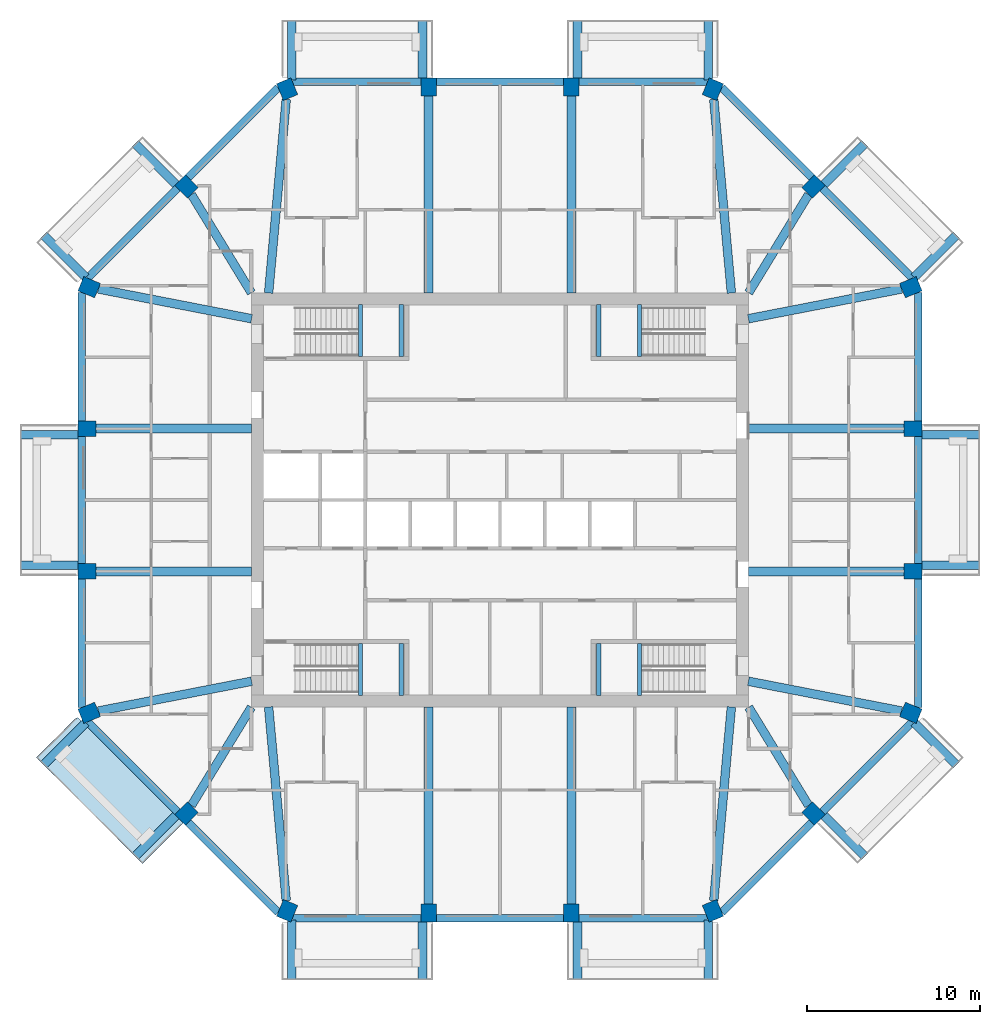
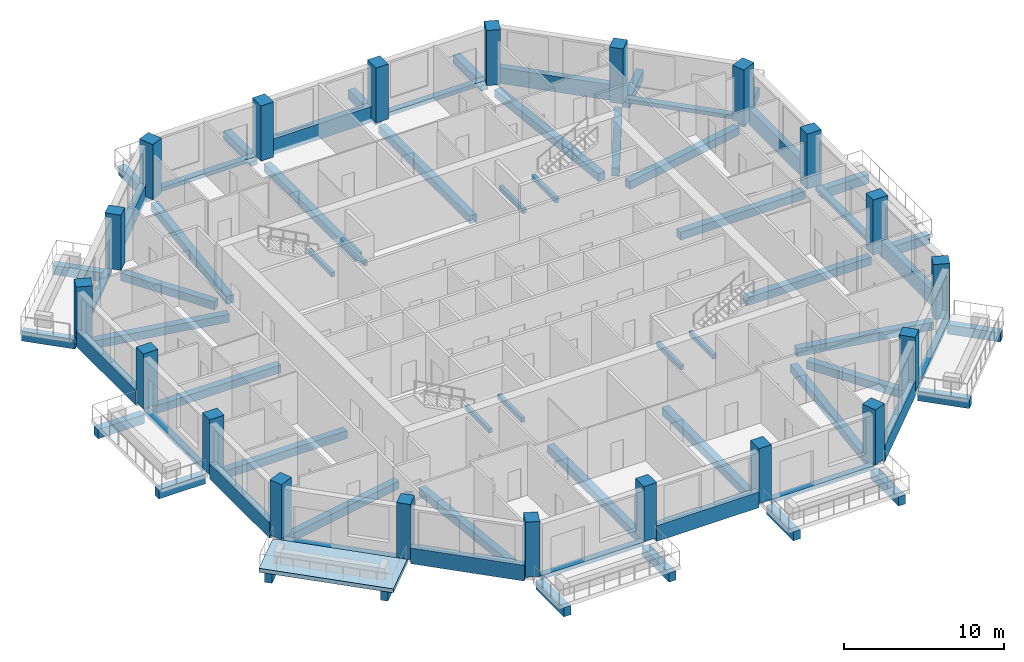
# One storey, part 1 of 12: 68 beams, 20 columns, 1 slab.
"""IFC4 building model written with IfcOpenShell, lengths in metres."""

from ifc_helpers import new_model, si_unit, direction, frame, origin, origin_2d, place, context, subcontext, project, spatial, polyline, rectangle, outline, extrude, material, layer, layer_set, material_profile, profile_set, type_object, element, save


model = new_model("IFC4")

# Units and contexts
model_context = context("Model", 3, precision=1e-05, world=origin(), true_north=direction((0.0, 1.0)))
body_context = subcontext(model_context, "Body", "Model", "MODEL_VIEW")
ifc_project = project(units=[si_unit("LENGTHUNIT", "METRE"), si_unit("AREAUNIT", "SQUARE_METRE"), si_unit("VOLUMEUNIT", "CUBIC_METRE"), si_unit("PLANEANGLEUNIT", "RADIAN"), si_unit("MASSUNIT", "GRAM", prefix="KILO")], contexts=[model_context])

# Site, building, storey
site_placement = place(None, origin())
site = spatial("IfcSite", under=ifc_project, at=site_placement, CompositionType="ELEMENT")
building_placement = place(site_placement, origin())
building = spatial("IfcBuilding", under=site, at=building_placement, Name="Msitu Wima Residences", CompositionType="ELEMENT")
storey_placement = place(building_placement, frame((0.0, 0.0, 183.300048828125)))
storey = spatial("IfcBuildingStorey", under=building, at=storey_placement, Name="L42", CompositionType="ELEMENT", Elevation=183.300048828125)

# Columns
ifc_material_1 = material(Name="Concrete C60/75", Category="concrete")
ifc_material_profile_1 = material_profile(ifc_material_1, rectangle(XDim=0.89990234375, YDim=1.050048828125, at=origin_2d()), Name="RC 900x1050")
ifc_profile_set_1 = profile_set([ifc_material_profile_1], Name="Concrete C60/75")
column_type = type_object("IfcColumnType", Name="Column RC 900x1050 Concrete C60/75", PredefinedType="COLUMN", material=ifc_profile_set_1)
for number, where, z_axis, x_axis, name in (
    (1, (23.792724609375, -12.325927734375, 0.0), (0.0, 0.0, 1.0), (0.382683496864, 0.923879505795, 0.0), "Column L42 C-E0"),
    (2, (23.925048828125, -4.13720703125, 0.0), (0.0, 0.0, 1.0), (0.0, 1.0, 0.0), "Column L42 C-E1"),
    (3, (23.925048828125, 4.13720703125, 0.0), (0.0, 0.0, 1.0), (0.0, 1.0, 0.0), "Column L42 C-E2"),
    (4, (23.792724609375, 12.325927734375, 0.0), (0.0, 0.0, 1.0), (-0.382683496864, 0.923879505795, 0.0), "Column L42 C-NE0"),
    (5, (18.15283203125, 18.15283203125, 0.0), (0.0, 0.0, 1.0), (-0.707106781187, 0.707106781187, 0.0), "Column L42 C-NE1"),
    (6, (12.325927734375, 23.792724609375, 0.0), (0.0, 0.0, 1.0), (-0.923879505795, 0.382683496864, 0.0), "Column L42 C-N0"),
    (7, (4.13720703125, 23.925048828125, 0.0), (0.0, 0.0, 1.0), (-1.0, 0.0, 0.0), "Column L42 C-N1"),
    (8, (-4.13720703125, 23.925048828125, 0.0), (0.0, 0.0, 1.0), (-1.0, 0.0, 0.0), "Column L42 C-N2"),
    (9, (-12.325927734375, 23.792724609375, 0.0), (0.0, 0.0, 1.0), (-0.923879505795, -0.382683496864, 0.0), "Column L42 C-NW0"),
    (10, (-18.15283203125, 18.15283203125, 0.0), (0.0, 0.0, 1.0), (-0.707106781187, -0.707106781187, 0.0), "Column L42 C-NW1"),
    (11, (-23.792724609375, 12.325927734375, 0.0), (0.0, 0.0, 1.0), (-0.382683496864, -0.923879505795, 0.0), "Column L42 C-W0"),
    (12, (-23.925048828125, 4.13720703125, 0.0), (0.0, 0.0, 1.0), (0.0, -1.0, 0.0), "Column L42 C-W1"),
    (13, (-23.925048828125, -4.13720703125, 0.0), (0.0, 0.0, 1.0), (0.0, -1.0, 0.0), "Column L42 C-W2"),
    (14, (-23.792724609375, -12.325927734375, 0.0), (0.0, 0.0, 1.0), (0.382683496864, -0.923879505795, 0.0), "Column L42 C-SW0"),
    (15, (-18.15283203125, -18.15283203125, 0.0), (0.0, 0.0, 1.0), (0.707106781187, -0.707106781187, 0.0), "Column L42 C-SW1"),
    (16, (-12.325927734375, -23.792724609375, 0.0), (0.0, 0.0, 1.0), (0.923879505795, -0.382683496864, 0.0), "Column L42 C-S0"),
    (17, (-4.13720703125, -23.925048828125, 0.0), (0.0, 0.0, 1.0), (1.0, 0.0, 0.0), "Column L42 C-S1"),
    (18, (4.13720703125, -23.925048828125, 0.0), (0.0, 0.0, 1.0), (1.0, 0.0, 0.0), "Column L42 C-S2"),
    (19, (12.325927734375, -23.792724609375, 0.0), (0.0, 0.0, 1.0), (0.923879505795, 0.382683496864, 0.0), "Column L42 C-SE0"),
    (20, (18.15283203125, -18.15283203125, 0.0), (0.0, 0.0, 1.0), (0.707106781187, 0.707106781187, 0.0), "Column L42 C-SE1"),
):
    element("IfcColumn", number, at=place(storey_placement, frame(where, z_axis=z_axis, x_axis=x_axis)), inside=storey, type_object=column_type, Name=name, PredefinedType="COLUMN", context=body_context, shape_type="SweptSolid", body=[
        extrude(rectangle(XDim=0.89990234375, YDim=1.050048828125, at=origin_2d()), origin(), (0.0, 0.0, 1.0), 4.199951171875),
    ])

# Beams
ifc_material_2 = material(Name="Concrete C50/60", Category="concrete")
ifc_material_profile_2 = material_profile(ifc_material_2, rectangle(XDim=0.5, YDim=0.60009765625, at=origin_2d()), Name="RC 500x600")
ifc_profile_set_2 = profile_set([ifc_material_profile_2], Name="Concrete C50/60")
beam_type_1 = type_object("IfcBeamType", Name="Beam RC 500x600 Concrete C50/60", PredefinedType="BEAM", material=ifc_profile_set_2)
beam_1_placement = place(storey_placement, frame((23.266845703125, -12.2236328125, -0.550048828125), z_axis=(-0.981627328559, 0.190808248841, 0.0), x_axis=(-0.190808248841, -0.981627328559, 0.0)))
element("IfcBeam", 21, at=beam_1_placement, inside=storey, type_object=beam_type_1, Name="Beam L42 C-E0", PredefinedType="BEAM", context=body_context, shape_type="SweptSolid", body=[
    extrude(rectangle(XDim=0.5, YDim=0.60009765625, at=origin_2d()), origin(), (0.0, 0.0, 1.0), 9.044921875),
])
for number, where, z_axis, x_axis, name in (
    (22, (23.39990234375, -4.13720703125, -0.550048828125), (-1.0, 0.0, 0.0), (0.0, -1.0, 0.0), "Beam L42 C-E1"),
    (23, (23.39990234375, 4.13720703125, -0.550048828125), (-1.0, 0.0, 0.0), (0.0, -1.0, 0.0), "Beam L42 C-E2"),
):
    element("IfcBeam", number, at=place(storey_placement, frame(where, z_axis=z_axis, x_axis=x_axis)), inside=storey, type_object=beam_type_1, Name=name, PredefinedType="BEAM", context=body_context, shape_type="SweptSolid", body=[
        extrude(rectangle(XDim=0.5, YDim=0.60009765625, at=origin_2d()), origin(), (0.0, 0.0, 1.0), 9.0),
    ])
beam_2_placement = place(storey_placement, frame((23.266845703125, 12.2236328125, -0.550048828125), z_axis=(-0.981627328559, -0.190808248841, 0.0), x_axis=(0.190808248841, -0.981627328559, 0.0)))
element("IfcBeam", 24, at=beam_2_placement, inside=storey, type_object=beam_type_1, Name="Beam L42 C-NE0", PredefinedType="BEAM", context=body_context, shape_type="SweptSolid", body=[
    extrude(rectangle(XDim=0.5, YDim=0.60009765625, at=origin_2d()), origin(), (0.0, 0.0, 1.0), 9.044921875),
])
beam_3_placement = place(storey_placement, frame((17.87158203125, 17.691650390625, -0.550048828125), z_axis=(-0.520734381113, -0.853718750132, 0.0), x_axis=(0.853718750132, -0.520734381113, 0.0)))
element("IfcBeam", 25, at=beam_3_placement, inside=storey, type_object=beam_type_1, Name="Beam L42 C-NE1", PredefinedType="BEAM", context=body_context, shape_type="SweptSolid", body=[
    extrude(rectangle(XDim=0.5, YDim=0.60009765625, at=origin_2d()), origin(), (0.0, 0.0, 1.0), 6.6669921875),
])
beam_4_placement = place(storey_placement, frame((12.379638671875, 23.2021484375, -0.550048828125), z_axis=(0.090713636077, -0.995877018627, 0.0), x_axis=(0.995877018627, 0.090713636077, 0.0)))
element("IfcBeam", 26, at=beam_4_placement, inside=storey, type_object=beam_type_1, Name="Beam L42 C-N0", PredefinedType="BEAM", context=body_context, shape_type="SweptSolid", body=[
    extrude(rectangle(XDim=0.5, YDim=0.60009765625, at=origin_2d()), origin(), (0.0, 0.0, 1.0), 11.260498046875),
])
for number, where, z_axis, x_axis, name in (
    (27, (4.13720703125, 23.39990234375, -0.550048828125), (0.0, -1.0, 0.0), (1.0, 0.0, 0.0), "Beam L42 C-N1"),
    (28, (-4.13720703125, 23.39990234375, -0.550048828125), (0.0, -1.0, 0.0), (1.0, 0.0, 0.0), "Beam L42 C-N2"),
):
    element("IfcBeam", number, at=place(storey_placement, frame(where, z_axis=z_axis, x_axis=x_axis)), inside=storey, type_object=beam_type_1, Name=name, PredefinedType="BEAM", context=body_context, shape_type="SweptSolid", body=[
        extrude(rectangle(XDim=0.5, YDim=0.60009765625, at=origin_2d()), origin(), (0.0, 0.0, 1.0), 11.39990234375),
    ])
beam_5_placement = place(storey_placement, frame((-12.379638671875, 23.2021484375, -0.550048828125), z_axis=(-0.090713636077, -0.995877018627, 0.0), x_axis=(0.995877018627, -0.090713636077, 0.0)))
element("IfcBeam", 29, at=beam_5_placement, inside=storey, type_object=beam_type_1, Name="Beam L42 C-NW0", PredefinedType="BEAM", context=body_context, shape_type="SweptSolid", body=[
    extrude(rectangle(XDim=0.5, YDim=0.60009765625, at=origin_2d()), origin(), (0.0, 0.0, 1.0), 11.260498046875),
])
beam_6_placement = place(storey_placement, frame((-17.87158203125, 17.691650390625, -0.550048828125), z_axis=(0.520734381113, -0.853718750132, 0.0), x_axis=(0.853718750132, 0.520734381113, 0.0)))
element("IfcBeam", 30, at=beam_6_placement, inside=storey, type_object=beam_type_1, Name="Beam L42 C-NW1", PredefinedType="BEAM", context=body_context, shape_type="SweptSolid", body=[
    extrude(rectangle(XDim=0.5, YDim=0.60009765625, at=origin_2d()), origin(), (0.0, 0.0, 1.0), 6.6669921875),
])
beam_7_placement = place(storey_placement, frame((-23.266845703125, 12.2236328125, -0.550048828125), z_axis=(0.981627328559, -0.190808248841, 0.0), x_axis=(0.190808248841, 0.981627328559, 0.0)))
element("IfcBeam", 31, at=beam_7_placement, inside=storey, type_object=beam_type_1, Name="Beam L42 C-W0", PredefinedType="BEAM", context=body_context, shape_type="SweptSolid", body=[
    extrude(rectangle(XDim=0.5, YDim=0.60009765625, at=origin_2d()), origin(), (0.0, 0.0, 1.0), 9.044921875),
])
for number, where, z_axis, x_axis, name in (
    (32, (-23.39990234375, 4.13720703125, -0.550048828125), (1.0, 0.0, 0.0), (0.0, 1.0, 0.0), "Beam L42 C-W1"),
    (33, (-23.39990234375, -4.13720703125, -0.550048828125), (1.0, 0.0, 0.0), (0.0, 1.0, 0.0), "Beam L42 C-W2"),
):
    element("IfcBeam", number, at=place(storey_placement, frame(where, z_axis=z_axis, x_axis=x_axis)), inside=storey, type_object=beam_type_1, Name=name, PredefinedType="BEAM", context=body_context, shape_type="SweptSolid", body=[
        extrude(rectangle(XDim=0.5, YDim=0.60009765625, at=origin_2d()), origin(), (0.0, 0.0, 1.0), 9.0),
    ])
beam_8_placement = place(storey_placement, frame((-23.266845703125, -12.2236328125, -0.550048828125), z_axis=(0.981627328559, 0.190808248841, 0.0), x_axis=(-0.190808248841, 0.981627328559, 0.0)))
element("IfcBeam", 34, at=beam_8_placement, inside=storey, type_object=beam_type_1, Name="Beam L42 C-SW0", PredefinedType="BEAM", context=body_context, shape_type="SweptSolid", body=[
    extrude(rectangle(XDim=0.5, YDim=0.60009765625, at=origin_2d()), origin(), (0.0, 0.0, 1.0), 9.044921875),
])
beam_9_placement = place(storey_placement, frame((-17.87158203125, -17.691650390625, -0.550048828125), z_axis=(0.520734381113, 0.853718750132, 0.0), x_axis=(-0.853718750132, 0.520734381113, 0.0)))
element("IfcBeam", 35, at=beam_9_placement, inside=storey, type_object=beam_type_1, Name="Beam L42 C-SW1", PredefinedType="BEAM", context=body_context, shape_type="SweptSolid", body=[
    extrude(rectangle(XDim=0.5, YDim=0.60009765625, at=origin_2d()), origin(), (0.0, 0.0, 1.0), 6.6669921875),
])
beam_10_placement = place(storey_placement, frame((-12.379638671875, -23.2021484375, -0.550048828125), z_axis=(-0.090713636077, 0.995877018627, 0.0), x_axis=(-0.995877018627, -0.090713636077, 0.0)))
element("IfcBeam", 36, at=beam_10_placement, inside=storey, type_object=beam_type_1, Name="Beam L42 C-S0", PredefinedType="BEAM", context=body_context, shape_type="SweptSolid", body=[
    extrude(rectangle(XDim=0.5, YDim=0.60009765625, at=origin_2d()), origin(), (0.0, 0.0, 1.0), 11.260498046875),
])
for number, where, z_axis, x_axis, name in (
    (37, (-4.13720703125, -23.39990234375, -0.550048828125), (0.0, 1.0, 0.0), (-1.0, 0.0, 0.0), "Beam L42 C-S1"),
    (38, (4.13720703125, -23.39990234375, -0.550048828125), (0.0, 1.0, 0.0), (-1.0, 0.0, 0.0), "Beam L42 C-S2"),
):
    element("IfcBeam", number, at=place(storey_placement, frame(where, z_axis=z_axis, x_axis=x_axis)), inside=storey, type_object=beam_type_1, Name=name, PredefinedType="BEAM", context=body_context, shape_type="SweptSolid", body=[
        extrude(rectangle(XDim=0.5, YDim=0.60009765625, at=origin_2d()), origin(), (0.0, 0.0, 1.0), 11.39990234375),
    ])
beam_11_placement = place(storey_placement, frame((12.379638671875, -23.2021484375, -0.550048828125), z_axis=(0.090713636077, 0.995877018627, 0.0), x_axis=(-0.995877018627, 0.090713636077, 0.0)))
element("IfcBeam", 39, at=beam_11_placement, inside=storey, type_object=beam_type_1, Name="Beam L42 C-SE0", PredefinedType="BEAM", context=body_context, shape_type="SweptSolid", body=[
    extrude(rectangle(XDim=0.5, YDim=0.60009765625, at=origin_2d()), origin(), (0.0, 0.0, 1.0), 11.260498046875),
])
beam_12_placement = place(storey_placement, frame((17.87158203125, -17.691650390625, -0.550048828125), z_axis=(-0.520734381113, 0.853718750132, 0.0), x_axis=(-0.853718750132, -0.520734381113, 0.0)))
element("IfcBeam", 40, at=beam_12_placement, inside=storey, type_object=beam_type_1, Name="Beam L42 C-SE1", PredefinedType="BEAM", context=body_context, shape_type="SweptSolid", body=[
    extrude(rectangle(XDim=0.5, YDim=0.60009765625, at=origin_2d()), origin(), (0.0, 0.0, 1.0), 6.6669921875),
])
ifc_material_profile_3 = material_profile(ifc_material_2, rectangle(XDim=0.5, YDim=0.699951171875, at=origin_2d()), Name="RC 500x700")
ifc_profile_set_3 = profile_set([ifc_material_profile_3], Name="Concrete C50/60")
beam_type_2 = type_object("IfcBeamType", Name="Cantilever beam RC 500x700 Concrete C50/60", PredefinedType="BEAM", material=ifc_profile_set_3)
for number, where, z_axis, x_axis, name in (
    (41, (24.449951171875, -3.787353515625, -0.650146484375), (1.0, 0.0, 0.0), (0.0, 1.0, 0.0), "Cantilever beam L42 BA-E1 A"),
    (42, (24.449951171875, 3.787353515625, -0.650146484375), (1.0, 0.0, 0.0), (0.0, 1.0, 0.0), "Cantilever beam L42 BA-E1 B"),
):
    element("IfcBeam", number, at=place(storey_placement, frame(where, z_axis=z_axis, x_axis=x_axis)), inside=storey, type_object=beam_type_2, Name=name, PredefinedType="BEAM", context=body_context, shape_type="SweptSolid", body=[
        extrude(rectangle(XDim=0.5, YDim=0.699951171875, at=origin_2d()), origin(), (0.0, 0.0, 1.0), 3.35009765625),
    ])
beam_13_placement = place(storey_placement, frame((23.986572265625, 12.893310546875, -0.650146484375), z_axis=(0.707106781187, 0.707106781187, 0.0), x_axis=(-0.707106781187, 0.707106781187, 0.0)))
element("IfcBeam", 43, at=beam_13_placement, inside=storey, type_object=beam_type_2, Name="Cantilever beam L42 BA-NE0 A", PredefinedType="BEAM", context=body_context, shape_type="SweptSolid", body=[
    extrude(rectangle(XDim=0.5, YDim=0.699951171875, at=origin_2d()), origin(), (0.0, 0.0, 1.0), 3.468994140625),
])
beam_14_placement = place(storey_placement, frame((18.771484375, 18.276611328125, -0.650146484375), z_axis=(0.707106781187, 0.707106781187, 0.0), x_axis=(-0.707106781187, 0.707106781187, 0.0)))
element("IfcBeam", 44, at=beam_14_placement, inside=storey, type_object=beam_type_2, Name="Cantilever beam L42 BA-NE0 B", PredefinedType="BEAM", context=body_context, shape_type="SweptSolid", body=[
    extrude(rectangle(XDim=0.5, YDim=0.699951171875, at=origin_2d()), origin(), (0.0, 0.0, 1.0), 3.35009765625),
])
beam_15_placement = place(storey_placement, frame((12.061767578125, 24.330810546875, -0.650146484375), z_axis=(0.0, 1.0, 0.0), x_axis=(-1.0, 0.0, 0.0)))
element("IfcBeam", 45, at=beam_15_placement, inside=storey, type_object=beam_type_2, Name="Cantilever beam L42 BA-N0 A", PredefinedType="BEAM", context=body_context, shape_type="SweptSolid", body=[
    extrude(rectangle(XDim=0.5, YDim=0.699951171875, at=origin_2d()), origin(), (0.0, 0.0, 1.0), 3.46923828125),
])
for number, where, z_axis, x_axis, name in (
    (46, (4.4873046875, 24.449951171875, -0.650146484375), (0.0, 1.0, 0.0), (-1.0, 0.0, 0.0), "Cantilever beam L42 BA-N0 B"),
    (47, (-4.4873046875, 24.449951171875, -0.650146484375), (0.0, 1.0, 0.0), (-1.0, 0.0, 0.0), "Cantilever beam L42 BA-N2 A"),
):
    element("IfcBeam", number, at=place(storey_placement, frame(where, z_axis=z_axis, x_axis=x_axis)), inside=storey, type_object=beam_type_2, Name=name, PredefinedType="BEAM", context=body_context, shape_type="SweptSolid", body=[
        extrude(rectangle(XDim=0.5, YDim=0.699951171875, at=origin_2d()), origin(), (0.0, 0.0, 1.0), 3.35009765625),
    ])
beam_16_placement = place(storey_placement, frame((-12.061767578125, 24.330810546875, -0.650146484375), z_axis=(0.0, 1.0, 0.0), x_axis=(-1.0, 0.0, 0.0)))
element("IfcBeam", 48, at=beam_16_placement, inside=storey, type_object=beam_type_2, Name="Cantilever beam L42 BA-N2 B", PredefinedType="BEAM", context=body_context, shape_type="SweptSolid", body=[
    extrude(rectangle(XDim=0.5, YDim=0.699951171875, at=origin_2d()), origin(), (0.0, 0.0, 1.0), 3.46923828125),
])
beam_17_placement = place(storey_placement, frame((-18.771484375, 18.276611328125, -0.650146484375), z_axis=(-0.707106781187, 0.707106781187, 0.0), x_axis=(-0.707106781187, -0.707106781187, 0.0)))
element("IfcBeam", 49, at=beam_17_placement, inside=storey, type_object=beam_type_2, Name="Cantilever beam L42 BA-NW1 A", PredefinedType="BEAM", context=body_context, shape_type="SweptSolid", body=[
    extrude(rectangle(XDim=0.5, YDim=0.699951171875, at=origin_2d()), origin(), (0.0, 0.0, 1.0), 3.35009765625),
])
beam_18_placement = place(storey_placement, frame((-23.986572265625, 12.893310546875, -0.650146484375), z_axis=(-0.707106781187, 0.707106781187, 0.0), x_axis=(-0.707106781187, -0.707106781187, 0.0)))
element("IfcBeam", 50, at=beam_18_placement, inside=storey, type_object=beam_type_2, Name="Cantilever beam L42 BA-NW1 B", PredefinedType="BEAM", context=body_context, shape_type="SweptSolid", body=[
    extrude(rectangle(XDim=0.5, YDim=0.699951171875, at=origin_2d()), origin(), (0.0, 0.0, 1.0), 3.468994140625),
])
for number, where, z_axis, x_axis, name in (
    (51, (-24.449951171875, 3.787353515625, -0.650146484375), (-1.0, 0.0, 0.0), (0.0, -1.0, 0.0), "Cantilever beam L42 BA-W1 A"),
    (52, (-24.449951171875, -3.787353515625, -0.650146484375), (-1.0, 0.0, 0.0), (0.0, -1.0, 0.0), "Cantilever beam L42 BA-W1 B"),
):
    element("IfcBeam", number, at=place(storey_placement, frame(where, z_axis=z_axis, x_axis=x_axis)), inside=storey, type_object=beam_type_2, Name=name, PredefinedType="BEAM", context=body_context, shape_type="SweptSolid", body=[
        extrude(rectangle(XDim=0.5, YDim=0.699951171875, at=origin_2d()), origin(), (0.0, 0.0, 1.0), 3.35009765625),
    ])
beam_19_placement = place(storey_placement, frame((-23.986572265625, -12.893310546875, -0.650146484375), z_axis=(-0.707106781187, -0.707106781187, 0.0), x_axis=(0.707106781187, -0.707106781187, 0.0)))
element("IfcBeam", 53, at=beam_19_placement, inside=storey, type_object=beam_type_2, Name="Cantilever beam L42 BA-SW0 A", PredefinedType="BEAM", context=body_context, shape_type="SweptSolid", body=[
    extrude(rectangle(XDim=0.5, YDim=0.699951171875, at=origin_2d()), origin(), (0.0, 0.0, 1.0), 3.468994140625),
])
beam_20_placement = place(storey_placement, frame((-18.771484375, -18.276611328125, -0.650146484375), z_axis=(-0.707106781187, -0.707106781187, 0.0), x_axis=(0.707106781187, -0.707106781187, 0.0)))
element("IfcBeam", 54, at=beam_20_placement, inside=storey, type_object=beam_type_2, Name="Cantilever beam L42 BA-SW0 B", PredefinedType="BEAM", context=body_context, shape_type="SweptSolid", body=[
    extrude(rectangle(XDim=0.5, YDim=0.699951171875, at=origin_2d()), origin(), (0.0, 0.0, 1.0), 3.35009765625),
])
beam_21_placement = place(storey_placement, frame((-12.061767578125, -24.330810546875, -0.650146484375), z_axis=(0.0, -1.0, 0.0), x_axis=(1.0, 0.0, 0.0)))
element("IfcBeam", 55, at=beam_21_placement, inside=storey, type_object=beam_type_2, Name="Cantilever beam L42 BA-S0 A", PredefinedType="BEAM", context=body_context, shape_type="SweptSolid", body=[
    extrude(rectangle(XDim=0.5, YDim=0.699951171875, at=origin_2d()), origin(), (0.0, 0.0, 1.0), 3.46923828125),
])
for number, where, z_axis, x_axis, name in (
    (56, (-4.4873046875, -24.449951171875, -0.650146484375), (0.0, -1.0, 0.0), (1.0, 0.0, 0.0), "Cantilever beam L42 BA-S0 B"),
    (57, (4.4873046875, -24.449951171875, -0.650146484375), (0.0, -1.0, 0.0), (1.0, 0.0, 0.0), "Cantilever beam L42 BA-S2 A"),
):
    element("IfcBeam", number, at=place(storey_placement, frame(where, z_axis=z_axis, x_axis=x_axis)), inside=storey, type_object=beam_type_2, Name=name, PredefinedType="BEAM", context=body_context, shape_type="SweptSolid", body=[
        extrude(rectangle(XDim=0.5, YDim=0.699951171875, at=origin_2d()), origin(), (0.0, 0.0, 1.0), 3.35009765625),
    ])
beam_22_placement = place(storey_placement, frame((12.061767578125, -24.330810546875, -0.650146484375), z_axis=(0.0, -1.0, 0.0), x_axis=(1.0, 0.0, 0.0)))
element("IfcBeam", 58, at=beam_22_placement, inside=storey, type_object=beam_type_2, Name="Cantilever beam L42 BA-S2 B", PredefinedType="BEAM", context=body_context, shape_type="SweptSolid", body=[
    extrude(rectangle(XDim=0.5, YDim=0.699951171875, at=origin_2d()), origin(), (0.0, 0.0, 1.0), 3.46923828125),
])
beam_23_placement = place(storey_placement, frame((18.771484375, -18.276611328125, -0.650146484375), z_axis=(0.707106781187, -0.707106781187, 0.0), x_axis=(0.707106781187, 0.707106781187, 0.0)))
element("IfcBeam", 59, at=beam_23_placement, inside=storey, type_object=beam_type_2, Name="Cantilever beam L42 BA-SE1 A", PredefinedType="BEAM", context=body_context, shape_type="SweptSolid", body=[
    extrude(rectangle(XDim=0.5, YDim=0.699951171875, at=origin_2d()), origin(), (0.0, 0.0, 1.0), 3.35009765625),
])
beam_24_placement = place(storey_placement, frame((23.986572265625, -12.893310546875, -0.650146484375), z_axis=(0.707106781187, -0.707106781187, 0.0), x_axis=(0.707106781187, 0.707106781187, 0.0)))
element("IfcBeam", 60, at=beam_24_placement, inside=storey, type_object=beam_type_2, Name="Cantilever beam L42 BA-SE1 B", PredefinedType="BEAM", context=body_context, shape_type="SweptSolid", body=[
    extrude(rectangle(XDim=0.5, YDim=0.699951171875, at=origin_2d()), origin(), (0.0, 0.0, 1.0), 3.468994140625),
])
ifc_material_profile_4 = material_profile(ifc_material_2, rectangle(XDim=0.449951171875, YDim=0.300048828125, at=origin_2d()), Name="RC 450x300")
ifc_profile_set_4 = profile_set([ifc_material_profile_4], Name="Concrete C50/60")
beam_type_3 = type_object("IfcBeamType", Name="Edge beam RC 450x300 Concrete C50/60", PredefinedType="SPANDREL", material=ifc_profile_set_4)
beam_25_placement = place(storey_placement, frame((24.22509765625, -3.687255859375, -0.150146484375), z_axis=(0.0, 1.0, 0.0), x_axis=(-1.0, 0.0, 0.0)))
element("IfcBeam", 61, at=beam_25_placement, inside=storey, type_object=beam_type_3, Name="Spandrel L42 E1", PredefinedType="SPANDREL", context=body_context, shape_type="SweptSolid", body=[
    extrude(rectangle(XDim=0.449951171875, YDim=0.300048828125, at=origin_2d()), origin(), (0.0, 0.0, 1.0), 7.37451171875),
])
beam_26_placement = place(storey_placement, frame((23.88916015625, 12.8408203125, -0.150146484375), z_axis=(-0.707106781187, 0.707106781187, 0.0), x_axis=(-0.707106781187, -0.707106781187, 0.0)))
element("IfcBeam", 62, at=beam_26_placement, inside=storey, type_object=beam_type_3, Name="Spandrel L42 NE0", PredefinedType="SPANDREL", context=body_context, shape_type="SweptSolid", body=[
    extrude(rectangle(XDim=0.449951171875, YDim=0.300048828125, at=origin_2d()), origin(), (0.0, 0.0, 1.0), 7.362548828125),
])
for number, where, z_axis, x_axis, name in (
    (63, (12.02978515625, 24.22509765625, -0.150146484375), (-1.0, 0.0, 0.0), (0.0, -1.0, 0.0), "Spandrel L42 N0"),
    (64, (-4.587158203125, 24.22509765625, -0.150146484375), (-1.0, 0.0, 0.0), (0.0, -1.0, 0.0), "Spandrel L42 N2"),
):
    element("IfcBeam", number, at=place(storey_placement, frame(where, z_axis=z_axis, x_axis=x_axis)), inside=storey, type_object=beam_type_3, Name=name, PredefinedType="SPANDREL", context=body_context, shape_type="SweptSolid", body=[
        extrude(rectangle(XDim=0.449951171875, YDim=0.300048828125, at=origin_2d()), origin(), (0.0, 0.0, 1.0), 7.442626953125),
    ])
beam_27_placement = place(storey_placement, frame((-18.68310546875, 18.046875, -0.150146484375), z_axis=(-0.707106781187, -0.707106781187, 0.0), x_axis=(0.707106781187, -0.707106781187, 0.0)))
element("IfcBeam", 65, at=beam_27_placement, inside=storey, type_object=beam_type_3, Name="Spandrel L42 NW1", PredefinedType="SPANDREL", context=body_context, shape_type="SweptSolid", body=[
    extrude(rectangle(XDim=0.449951171875, YDim=0.300048828125, at=origin_2d()), origin(), (0.0, 0.0, 1.0), 7.362548828125),
])
beam_28_placement = place(storey_placement, frame((-24.22509765625, 3.687255859375, -0.150146484375), z_axis=(0.0, -1.0, 0.0), x_axis=(1.0, 0.0, 0.0)))
element("IfcBeam", 66, at=beam_28_placement, inside=storey, type_object=beam_type_3, Name="Spandrel L42 W1", PredefinedType="SPANDREL", context=body_context, shape_type="SweptSolid", body=[
    extrude(rectangle(XDim=0.449951171875, YDim=0.300048828125, at=origin_2d()), origin(), (0.0, 0.0, 1.0), 7.37451171875),
])
beam_29_placement = place(storey_placement, frame((-23.88916015625, -12.8408203125, -0.150146484375), z_axis=(0.707106781187, -0.707106781187, 0.0), x_axis=(0.707106781187, 0.707106781187, 0.0)))
element("IfcBeam", 67, at=beam_29_placement, inside=storey, type_object=beam_type_3, Name="Spandrel L42 SW0", PredefinedType="SPANDREL", context=body_context, shape_type="SweptSolid", body=[
    extrude(rectangle(XDim=0.449951171875, YDim=0.300048828125, at=origin_2d()), origin(), (0.0, 0.0, 1.0), 7.362548828125),
])
for number, where, z_axis, x_axis, name in (
    (68, (-12.02978515625, -24.22509765625, -0.150146484375), (1.0, 0.0, 0.0), (0.0, 1.0, 0.0), "Spandrel L42 S0"),
    (69, (4.587158203125, -24.22509765625, -0.150146484375), (1.0, 0.0, 0.0), (0.0, 1.0, 0.0), "Spandrel L42 S2"),
):
    element("IfcBeam", number, at=place(storey_placement, frame(where, z_axis=z_axis, x_axis=x_axis)), inside=storey, type_object=beam_type_3, Name=name, PredefinedType="SPANDREL", context=body_context, shape_type="SweptSolid", body=[
        extrude(rectangle(XDim=0.449951171875, YDim=0.300048828125, at=origin_2d()), origin(), (0.0, 0.0, 1.0), 7.442626953125),
    ])
beam_30_placement = place(storey_placement, frame((18.68310546875, -18.046875, -0.150146484375), z_axis=(0.707106781187, 0.707106781187, 0.0), x_axis=(-0.707106781187, 0.707106781187, 0.0)))
element("IfcBeam", 70, at=beam_30_placement, inside=storey, type_object=beam_type_3, Name="Spandrel L42 SE1", PredefinedType="SPANDREL", context=body_context, shape_type="SweptSolid", body=[
    extrude(rectangle(XDim=0.449951171875, YDim=0.300048828125, at=origin_2d()), origin(), (0.0, 0.0, 1.0), 7.362548828125),
])
ifc_material_3 = material(Name="Concrete C40/50", Category="concrete")
ifc_material_profile_5 = material_profile(ifc_material_3, rectangle(XDim=0.25, YDim=0.35009765625, at=origin_2d()), Name="RC 250x350")
ifc_profile_set_5 = profile_set([ifc_material_profile_5], Name="Concrete C40/50")
beam_type_4 = type_object("IfcBeamType", Name="Landing beam RC 250x350", PredefinedType="BEAM", material=ifc_profile_set_5)
for number, where, z_axis, x_axis, name in (
    (71, (-8.074951171875, 8.324951171875, 1.724853515625), (0.0, 1.0, 0.0), (-1.0, 0.0, 0.0), "Stair 1 landing beam"),
    (72, (-5.72509765625, 8.324951171875, 1.724853515625), (0.0, 1.0, 0.0), (-1.0, 0.0, 0.0), "Stair 1 landing beam"),
    (73, (-8.074951171875, -11.324951171875, 1.724853515625), (0.0, 1.0, 0.0), (-1.0, 0.0, 0.0), "Stair 2 landing beam"),
    (74, (-5.72509765625, -11.324951171875, 1.724853515625), (0.0, 1.0, 0.0), (-1.0, 0.0, 0.0), "Stair 2 landing beam"),
    (75, (8.074951171875, 8.324951171875, 1.724853515625), (0.0, 1.0, 0.0), (-1.0, 0.0, 0.0), "Stair 3 landing beam"),
    (76, (5.72509765625, 8.324951171875, 1.724853515625), (0.0, 1.0, 0.0), (-1.0, 0.0, 0.0), "Stair 3 landing beam"),
    (77, (8.074951171875, -11.324951171875, 1.724853515625), (0.0, 1.0, 0.0), (-1.0, 0.0, 0.0), "Stair 4 landing beam"),
    (78, (5.72509765625, -11.324951171875, 1.724853515625), (0.0, 1.0, 0.0), (-1.0, 0.0, 0.0), "Stair 4 landing beam"),
):
    element("IfcBeam", number, at=place(storey_placement, frame(where, z_axis=z_axis, x_axis=x_axis)), inside=storey, type_object=beam_type_4, Name=name, PredefinedType="BEAM", context=body_context, shape_type="SweptSolid", body=[
        extrude(rectangle(XDim=0.25, YDim=0.35009765625, at=origin_2d()), origin(), (0.0, 0.0, 1.0), 3.0),
    ])
ifc_material_profile_6 = material_profile(ifc_material_2, rectangle(XDim=0.449951171875, YDim=1.199951171875, at=origin_2d()), Name="RC 450x1200")
ifc_profile_set_6 = profile_set([ifc_material_profile_6], Name="Concrete C50/60")
beam_type_5 = type_object("IfcBeamType", Name="Spandrel RC 450x1200 Concrete C50/60", PredefinedType="SPANDREL", material=ifc_profile_set_6)
for number, where, z_axis, x_axis, name in (
    (79, (24.22509765625, -12.02978515625, 0.300048828125), (0.0, 1.0, 0.0), (-1.0, 0.0, 0.0), "Spandrel L42 E0"),
    (80, (24.22509765625, 4.587158203125, 0.300048828125), (0.0, 1.0, 0.0), (-1.0, 0.0, 0.0), "Spandrel L42 E2"),
):
    element("IfcBeam", number, at=place(storey_placement, frame(where, z_axis=z_axis, x_axis=x_axis)), inside=storey, type_object=beam_type_5, Name=name, PredefinedType="SPANDREL", context=body_context, shape_type="SweptSolid", body=[
        extrude(rectangle(XDim=0.449951171875, YDim=1.199951171875, at=origin_2d()), origin(), (0.0, 0.0, 1.0), 7.442626953125),
    ])
beam_31_placement = place(storey_placement, frame((18.046875, 18.68310546875, 0.300048828125), z_axis=(-0.707106781187, 0.707106781187, 0.0), x_axis=(-0.707106781187, -0.707106781187, 0.0)))
element("IfcBeam", 81, at=beam_31_placement, inside=storey, type_object=beam_type_5, Name="Spandrel L42 NE1", PredefinedType="SPANDREL", context=body_context, shape_type="SweptSolid", body=[
    extrude(rectangle(XDim=0.449951171875, YDim=1.199951171875, at=origin_2d()), origin(), (0.0, 0.0, 1.0), 7.362548828125),
])
beam_32_placement = place(storey_placement, frame((3.687255859375, 24.22509765625, 0.300048828125), z_axis=(-1.0, 0.0, 0.0), x_axis=(0.0, -1.0, 0.0)))
element("IfcBeam", 82, at=beam_32_placement, inside=storey, type_object=beam_type_5, Name="Spandrel L42 N1", PredefinedType="SPANDREL", context=body_context, shape_type="SweptSolid", body=[
    extrude(rectangle(XDim=0.449951171875, YDim=1.199951171875, at=origin_2d()), origin(), (0.0, 0.0, 1.0), 7.37451171875),
])
beam_33_placement = place(storey_placement, frame((-12.8408203125, 23.88916015625, 0.300048828125), z_axis=(-0.707106781187, -0.707106781187, 0.0), x_axis=(0.707106781187, -0.707106781187, 0.0)))
element("IfcBeam", 83, at=beam_33_placement, inside=storey, type_object=beam_type_5, Name="Spandrel L42 NW0", PredefinedType="SPANDREL", context=body_context, shape_type="SweptSolid", body=[
    extrude(rectangle(XDim=0.449951171875, YDim=1.199951171875, at=origin_2d()), origin(), (0.0, 0.0, 1.0), 7.362548828125),
])
for number, where, z_axis, x_axis, name in (
    (84, (-24.22509765625, 12.02978515625, 0.300048828125), (0.0, -1.0, 0.0), (1.0, 0.0, 0.0), "Spandrel L42 W0"),
    (85, (-24.22509765625, -4.587158203125, 0.300048828125), (0.0, -1.0, 0.0), (1.0, 0.0, 0.0), "Spandrel L42 W2"),
):
    element("IfcBeam", number, at=place(storey_placement, frame(where, z_axis=z_axis, x_axis=x_axis)), inside=storey, type_object=beam_type_5, Name=name, PredefinedType="SPANDREL", context=body_context, shape_type="SweptSolid", body=[
        extrude(rectangle(XDim=0.449951171875, YDim=1.199951171875, at=origin_2d()), origin(), (0.0, 0.0, 1.0), 7.442626953125),
    ])
beam_34_placement = place(storey_placement, frame((-18.046875, -18.68310546875, 0.300048828125), z_axis=(0.707106781187, -0.707106781187, 0.0), x_axis=(0.707106781187, 0.707106781187, 0.0)))
element("IfcBeam", 86, at=beam_34_placement, inside=storey, type_object=beam_type_5, Name="Spandrel L42 SW1", PredefinedType="SPANDREL", context=body_context, shape_type="SweptSolid", body=[
    extrude(rectangle(XDim=0.449951171875, YDim=1.199951171875, at=origin_2d()), origin(), (0.0, 0.0, 1.0), 7.362548828125),
])
beam_35_placement = place(storey_placement, frame((-3.687255859375, -24.22509765625, 0.300048828125), z_axis=(1.0, 0.0, 0.0), x_axis=(0.0, 1.0, 0.0)))
element("IfcBeam", 87, at=beam_35_placement, inside=storey, type_object=beam_type_5, Name="Spandrel L42 S1", PredefinedType="SPANDREL", context=body_context, shape_type="SweptSolid", body=[
    extrude(rectangle(XDim=0.449951171875, YDim=1.199951171875, at=origin_2d()), origin(), (0.0, 0.0, 1.0), 7.37451171875),
])
beam_36_placement = place(storey_placement, frame((12.8408203125, -23.88916015625, 0.300048828125), z_axis=(0.707106781187, 0.707106781187, 0.0), x_axis=(-0.707106781187, 0.707106781187, 0.0)))
element("IfcBeam", 88, at=beam_36_placement, inside=storey, type_object=beam_type_5, Name="Spandrel L42 SE0", PredefinedType="SPANDREL", context=body_context, shape_type="SweptSolid", body=[
    extrude(rectangle(XDim=0.449951171875, YDim=1.199951171875, at=origin_2d()), origin(), (0.0, 0.0, 1.0), 7.362548828125),
])

# Slab
ifc_layer = layer(ifc_material_3, 0.300048828125)
ifc_layer_set = layer_set([ifc_layer], Name="Concrete C40/50")
slab_type = type_object("IfcSlabType", Name="Balcony slab BS300", PredefinedType="FLOOR", material=ifc_layer_set)
slab_placement = place(storey_placement, frame((0.0, 0.0, -0.300048828125)))
element("IfcSlab", 89, at=slab_placement, inside=storey, type_object=slab_type, Name="Balcony SW0 L42", PredefinedType="FLOOR", context=body_context, shape_type="SweptSolid", body=[
    extrude(outline(polyline([(-24.10546875, -12.942626953125), (-24.10546875, -12.942626953125), (-18.347412109375, -18.700927734375), (-20.716064453125, -21.069580078125), (-26.86376953125, -14.922119140625), (-24.603515625, -12.661865234375), (-24.449951171875, -12.59814453125), (-24.10546875, -12.942626953125), (-24.10546875, -12.942626953125)])), origin(), (0.0, 0.0, 1.0), 0.300048828125),
])

save(model, "model.ifc")
